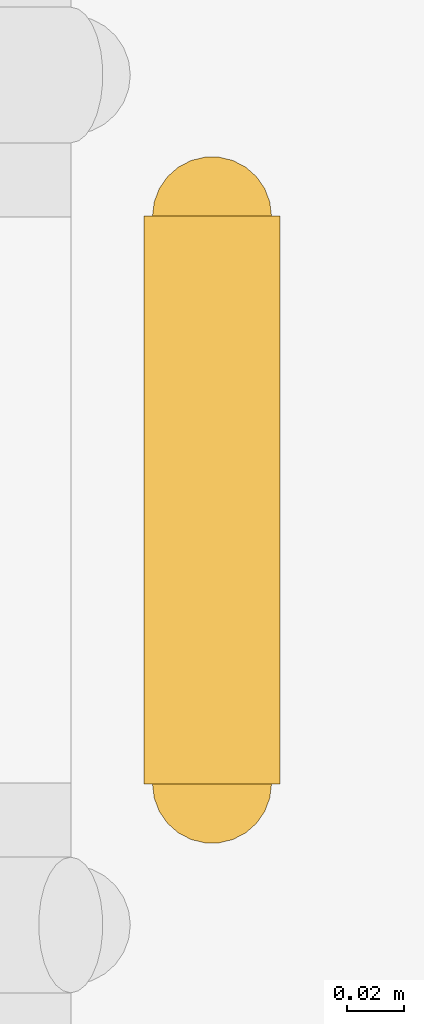
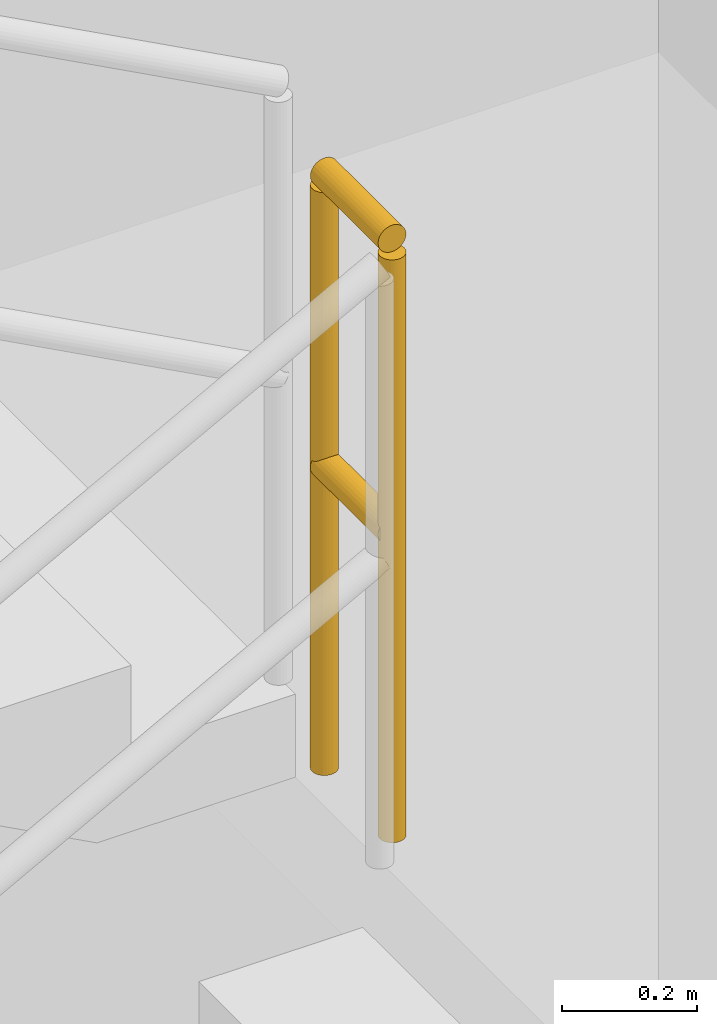
# One storey, part 80 of 86: 1 railing.
"""IFC4 building model written with IfcOpenShell, lengths in metres."""

from ifc_helpers import new_model, si_unit, direction, frame, origin, origin_2d, place, context, subcontext, project, spatial, circle, extrude, material, type_object, element, save


model = new_model("IFC4")

# Units and contexts
model_context = context("Model", 3, precision=1e-05, world=origin(), true_north=direction((0.0, 1.0)))
body_context = subcontext(model_context, "Body", "Model", "MODEL_VIEW")
ifc_project = project(units=[si_unit("LENGTHUNIT", "METRE"), si_unit("AREAUNIT", "SQUARE_METRE"), si_unit("VOLUMEUNIT", "CUBIC_METRE"), si_unit("PLANEANGLEUNIT", "RADIAN"), si_unit("MASSUNIT", "GRAM", prefix="KILO"), si_unit("THERMODYNAMICTEMPERATUREUNIT", "KELVIN"), si_unit("POWERUNIT", "WATT")], contexts=[model_context])

# Site, building, storey
site_placement = place(None, origin())
site = spatial("IfcSite", under=ifc_project, at=site_placement, CompositionType="ELEMENT")
building_placement = place(site_placement, origin())
building = spatial("IfcBuilding", under=site, at=building_placement, Name="Zhenchuan Central Fire Station", CompositionType="ELEMENT")
storey_placement = place(building_placement, frame((0.0, 0.0, 0.449951171875)))
storey = spatial("IfcBuildingStorey", under=building, at=storey_placement, Name="L01", CompositionType="ELEMENT", Elevation=0.449951171875)

# Railing
ifc_material = material(Name="Galvanised powder-coated steel", Category="steel")
railing_type = type_object("IfcRailingType", Name="RL-ST-GRD", PredefinedType="GUARDRAIL", material=ifc_material)
railing_placement = place(storey_placement, frame((62.659912109375, 32.14990234375, 2.699951171875)))
element("IfcRailing", 1, at=railing_placement, inside=storey, type_object=railing_type, Name="L01 ST-08 stair guard 2", PredefinedType="GUARDRAIL", context=body_context, shape_type="SweptSolid", body=[
    extrude(circle(Radius=0.02392578125, at=origin_2d()), frame((0.0, 0.0, 1.076171875), z_axis=(0.0, 1.0, 0.0), x_axis=(-1.0, 0.0, 0.0)), (0.0, 0.0, 1.0), 0.2001953125),
    extrude(circle(Radius=0.02392578125, at=origin_2d()), frame((0.0, 0.0, 0.550048828125), z_axis=(0.0, 1.0, 0.0), x_axis=(-1.0, 0.0, 0.0)), (0.0, 0.0, 1.0), 0.2001953125),
    extrude(circle(Radius=0.02099609375, at=origin_2d()), origin(), (0.0, 0.0, 1.0), 1.052001953125),
    extrude(circle(Radius=0.02099609375, at=origin_2d()), frame((0.0, 0.2001953125, 0.0)), (0.0, 0.0, 1.0), 1.052001953125),
])

save(model, "model.ifc")
